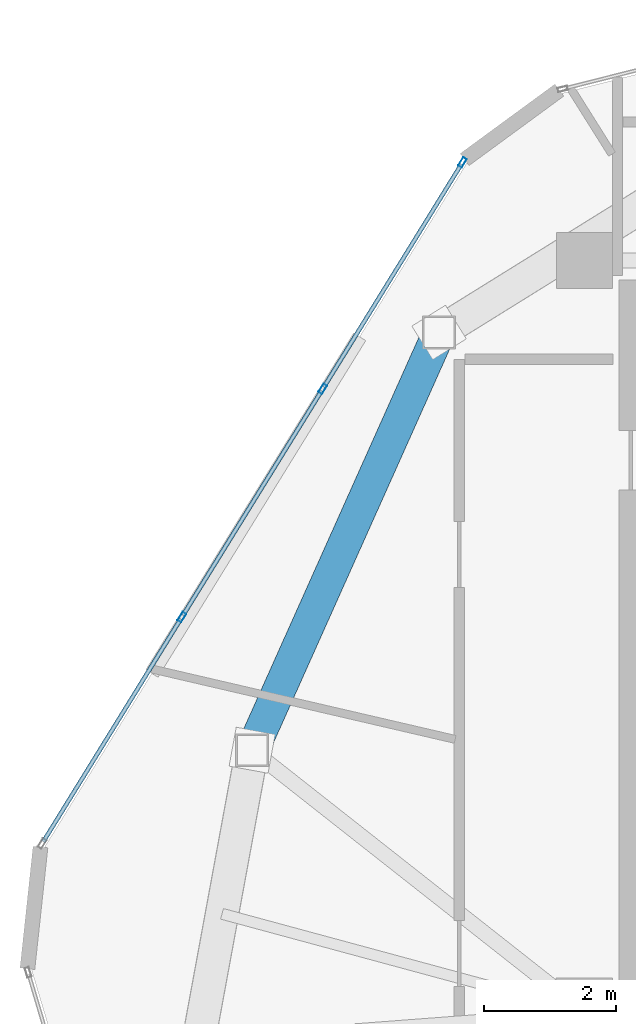
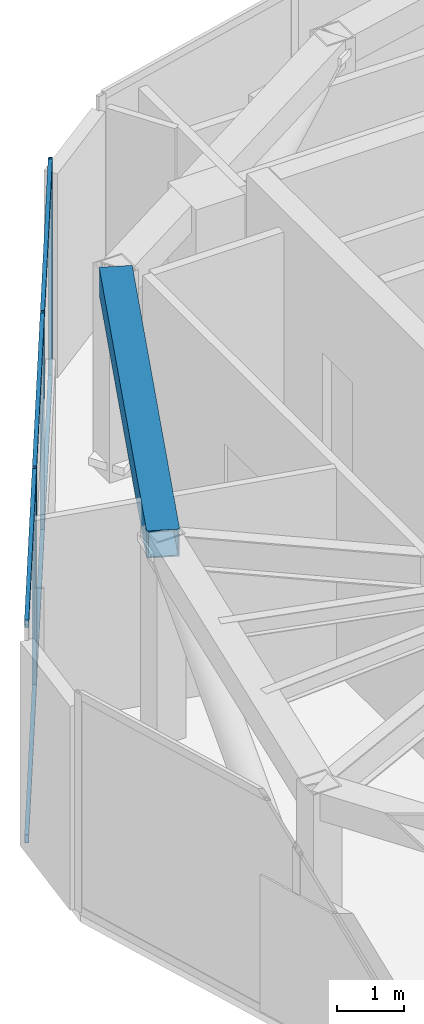
# One storey, part 9 of 21: 9 members, 1 beam, 1 element without a shape of its own.
"""IFC4 building model written with IfcOpenShell, lengths in metres."""

from ifc_helpers import new_model, si_unit, direction, frame, origin, origin_2d, place, context, subcontext, project, spatial, hollow_rectangle, extrude, source, transform, mapped, material, layer, layer_set, material_profile, profile_set, type_object, type_shapes, element, aggregate, save


model = new_model("IFC4")

# Units and contexts
model_context = context("Model", 3, precision=1e-05, world=origin(), true_north=direction((0.0, 1.0)))
body_context = subcontext(model_context, "Body", "Model", "MODEL_VIEW")
ifc_project = project(units=[si_unit("LENGTHUNIT", "METRE"), si_unit("AREAUNIT", "SQUARE_METRE"), si_unit("VOLUMEUNIT", "CUBIC_METRE"), si_unit("PLANEANGLEUNIT", "RADIAN"), si_unit("MASSUNIT", "GRAM", prefix="KILO")], contexts=[model_context])

# Site, building, storey
site_placement = place(None, origin())
site = spatial("IfcSite", under=ifc_project, at=site_placement, CompositionType="ELEMENT")
building_placement = place(site_placement, origin())
building = spatial("IfcBuilding", under=site, at=building_placement, Name="Talar Marvaseh", CompositionType="ELEMENT")
storey_placement = place(building_placement, frame((0.0, 0.0, 300.0)))
storey = spatial("IfcBuildingStorey", under=building, at=storey_placement, Name="L80", CompositionType="ELEMENT", Elevation=300.0)

# Beam
ifc_material_1 = material(Name="Steel S460", Category="steel")
ifc_material_profile_1 = material_profile(ifc_material_1, hollow_rectangle(XDim=0.5, YDim=0.5, WallThickness=0.02490234375, at=origin_2d()), Name="BOX500x500x25")
ifc_profile_set_1 = profile_set([ifc_material_profile_1], Name="Steel S460")
beam_type = type_object("IfcBeamType", Name="Crown Frame Top Ring Beam BOX500x500x25", PredefinedType="BEAM", material=ifc_profile_set_1)
beam_placement = place(storey_placement, frame((13.657958984375, 29.469970703125, 3.489990234375), z_axis=(0.408486346803, 0.912764429892, 0.0), x_axis=(-0.912764429892, 0.408486346803, 0.0)))
element("IfcBeam", 1, at=beam_placement, inside=storey, type_object=beam_type, Name="L80 Crown Frame Top Ring Beam BOX500x500x25", PredefinedType="BEAM", context=body_context, shape_type="SweptSolid", body=[
    extrude(hollow_rectangle(XDim=0.5, YDim=0.5, WallThickness=0.02490234375, at=origin_2d()), origin(), (0.0, 0.0, 1.0), 6.942626953125),
])

# Curtain wall, members
ifc_material_2 = material(Name="Architectural Aluminium", Category="aluminium")
ifc_layer = layer(ifc_material_2, 0.2099609375)
ifc_layer_set = layer_set([ifc_layer], Name="Architectural Aluminium")
curtain_wall_type = type_object("IfcCurtainWallType", Name="Crown Plant Acoustic Spandrel Curtain Wall", PredefinedType="NOTDEFINED", material=ifc_layer_set)
curtain_wall_placement = place(storey_placement, origin())
curtain_wall = element("IfcCurtainWall", 2, at=curtain_wall_placement, inside=storey, type_object=curtain_wall_type, Name="L80 Crown Plant Acoustic Spandrel Curtain Wall", PredefinedType="NOTDEFINED")
ifc_material_profile_2 = material_profile(ifc_material_2, hollow_rectangle(XDim=0.06494140625, YDim=0.14990234375, WallThickness=0.00390625, at=origin_2d()), Name="RHS150x65x4")
ifc_profile_set_2 = profile_set([ifc_material_profile_2], Name="Architectural Aluminium")
member_type_1 = type_object("IfcMemberType", Name="Unitised Curtain Wall Slim Transom RHS150x65x4", PredefinedType="USERDEFINED", material=ifc_profile_set_2)
shared_shape_1 = source(origin(), body_context, "Body", "SweptSolid", [
    extrude(hollow_rectangle(XDim=0.06494140625, YDim=0.14990234375, WallThickness=0.00390625, at=origin_2d()), origin(), (0.0, 0.0, 1.0), 3.97119140625),
])
member_1_placement = place(storey_placement, frame((10.4892578125, 28.08203125, 0.032470703125), z_axis=(0.525204901976, 0.850975799268, 0.0), x_axis=(-0.850975799268, 0.525204901976, 0.0)))
member_1 = element("IfcMember", 3, at=member_1_placement, type_object=member_type_1, Name="CW-CRN transom 1.1", ObjectType="TRANSOM", PredefinedType="USERDEFINED", context=body_context, shape_type="MappedRepresentation", body=[
    mapped(shared_shape_1, transform((0.0, 0.0, 0.0), x_axis=(1.0, 0.0, 0.0), y_axis=(0.0, 1.0, 0.0), z_axis=(0.0, 0.0, 1.0), scale=1.0)),
])
member_2_placement = place(storey_placement, frame((10.4892578125, 28.08203125, 3.967529296875), z_axis=(0.525204901976, 0.850975799268, 0.0), x_axis=(-0.850975799268, 0.525204901976, 0.0)))
member_2 = element("IfcMember", 4, at=member_2_placement, type_object=member_type_1, Name="CW-CRN transom 1.2", ObjectType="TRANSOM", PredefinedType="USERDEFINED", context=body_context, shape_type="MappedRepresentation", body=[
    mapped(shared_shape_1, transform((0.0, 0.0, 0.0), x_axis=(1.0, 0.0, 0.0), y_axis=(0.0, 1.0, 0.0), z_axis=(0.0, 0.0, 1.0), scale=1.0)),
])
member_3_placement = place(storey_placement, frame((14.74609375, 34.97900390625, 0.032470703125), z_axis=(0.525160380063, 0.851003275677, 0.0), x_axis=(-0.851003275677, 0.525160380063, 0.0)))
member_3 = element("IfcMember", 5, at=member_3_placement, type_object=member_type_1, Name="CW-CRN transom 3.1", ObjectType="TRANSOM", PredefinedType="USERDEFINED", context=body_context, shape_type="MappedRepresentation", body=[
    mapped(shared_shape_1, transform((0.0, 0.0, 0.0), x_axis=(1.0, 0.0, 0.0), y_axis=(0.0, 1.0, 0.0), z_axis=(0.0, 0.0, 1.0), scale=1.0)),
])
member_4_placement = place(storey_placement, frame((14.74609375, 34.97900390625, 3.967529296875), z_axis=(0.525160380063, 0.851003275677, 0.0), x_axis=(-0.851003275677, 0.525160380063, 0.0)))
member_4 = element("IfcMember", 6, at=member_4_placement, type_object=member_type_1, Name="CW-CRN transom 3.2", ObjectType="TRANSOM", PredefinedType="USERDEFINED", context=body_context, shape_type="MappedRepresentation", body=[
    mapped(shared_shape_1, transform((0.0, 0.0, 0.0), x_axis=(1.0, 0.0, 0.0), y_axis=(0.0, 1.0, 0.0), z_axis=(0.0, 0.0, 1.0), scale=1.0)),
])
shared_shape_2 = source(origin(), body_context, "Body", "SweptSolid", [
    extrude(hollow_rectangle(XDim=0.06494140625, YDim=0.14990234375, WallThickness=0.00390625, at=origin_2d()), origin(), (0.0, 0.0, 1.0), 4.00390625),
])
type_shapes(member_type_1, [shared_shape_1, shared_shape_2])
member_5_placement = place(storey_placement, frame((12.609130859375, 31.5166015625, 0.032470703125), z_axis=(0.525189072882, 0.850985568459, 0.0), x_axis=(-0.850985568459, 0.525189072882, 0.0)))
member_5 = element("IfcMember", 7, at=member_5_placement, type_object=member_type_1, Name="CW-CRN transom 2.1", ObjectType="TRANSOM", PredefinedType="USERDEFINED", context=body_context, shape_type="MappedRepresentation", body=[
    mapped(shared_shape_2, transform((0.0, 0.0, 0.0), x_axis=(1.0, 0.0, 0.0), y_axis=(0.0, 1.0, 0.0), z_axis=(0.0, 0.0, 1.0), scale=1.0)),
])
member_6_placement = place(storey_placement, frame((12.609130859375, 31.5166015625, 3.967529296875), z_axis=(0.525189072882, 0.850985568459, 0.0), x_axis=(-0.850985568459, 0.525189072882, 0.0)))
member_6 = element("IfcMember", 8, at=member_6_placement, type_object=member_type_1, Name="CW-CRN transom 2.2", ObjectType="TRANSOM", PredefinedType="USERDEFINED", context=body_context, shape_type="MappedRepresentation", body=[
    mapped(shared_shape_2, transform((0.0, 0.0, 0.0), x_axis=(1.0, 0.0, 0.0), y_axis=(0.0, 1.0, 0.0), z_axis=(0.0, 0.0, 1.0), scale=1.0)),
])
ifc_material_profile_3 = material_profile(ifc_material_2, hollow_rectangle(XDim=0.06494140625, YDim=0.14990234375, WallThickness=0.00390625, at=origin_2d()), Name="RHS150x65x4")
ifc_profile_set_3 = profile_set([ifc_material_profile_3], Name="Architectural Aluminium")
member_type_2 = type_object("IfcMemberType", Name="Unitised Curtain Wall Slim Mullion RHS150x65x4", PredefinedType="MULLION", material=ifc_profile_set_3)
shared_shape_3 = source(origin(), body_context, "Body", "SweptSolid", [
    extrude(hollow_rectangle(XDim=0.06494140625, YDim=0.14990234375, WallThickness=0.00390625, at=origin_2d()), origin(), (0.0, 0.0, 1.0), 4.0),
])
type_shapes(member_type_2, [shared_shape_3])
member_7_placement = place(storey_placement, frame((12.592041015625, 31.489013671875, 0.0), z_axis=(0.0, 0.0, 1.0), x_axis=(-0.850977428238, 0.52520226259, 0.0)))
member_7 = element("IfcMember", 9, at=member_7_placement, type_object=member_type_2, Name="CW-CRN mullion 2", PredefinedType="MULLION", context=body_context, shape_type="MappedRepresentation", body=[
    mapped(shared_shape_3, transform((0.0, 0.0, 0.0), x_axis=(1.0, 0.0, 0.0), y_axis=(0.0, 1.0, 0.0), z_axis=(0.0, 0.0, 1.0), scale=1.0)),
])
member_8_placement = place(storey_placement, frame((14.72900390625, 34.951416015625, 0.0), z_axis=(0.0, 0.0, 1.0), x_axis=(-0.850977428238, 0.52520226259, 0.0)))
member_8 = element("IfcMember", 10, at=member_8_placement, type_object=member_type_2, Name="CW-CRN mullion 3", PredefinedType="MULLION", context=body_context, shape_type="MappedRepresentation", body=[
    mapped(shared_shape_3, transform((0.0, 0.0, 0.0), x_axis=(1.0, 0.0, 0.0), y_axis=(0.0, 1.0, 0.0), z_axis=(0.0, 0.0, 1.0), scale=1.0)),
])
member_9_placement = place(storey_placement, frame((16.8486328125, 38.385986328125, 0.0), z_axis=(0.0, 0.0, 1.0), x_axis=(-0.850977428238, 0.52520226259, 0.0)))
member_9 = element("IfcMember", 11, at=member_9_placement, type_object=member_type_2, Name="CW-CRN mullion 4", PredefinedType="MULLION", context=body_context, shape_type="MappedRepresentation", body=[
    mapped(shared_shape_3, transform((0.0, 0.0, 0.0), x_axis=(1.0, 0.0, 0.0), y_axis=(0.0, 1.0, 0.0), z_axis=(0.0, 0.0, 1.0), scale=1.0)),
])
aggregate(curtain_wall, [member_7, member_8, member_9, member_1, member_2, member_5, member_6, member_3, member_4])

save(model, "model.ifc")
